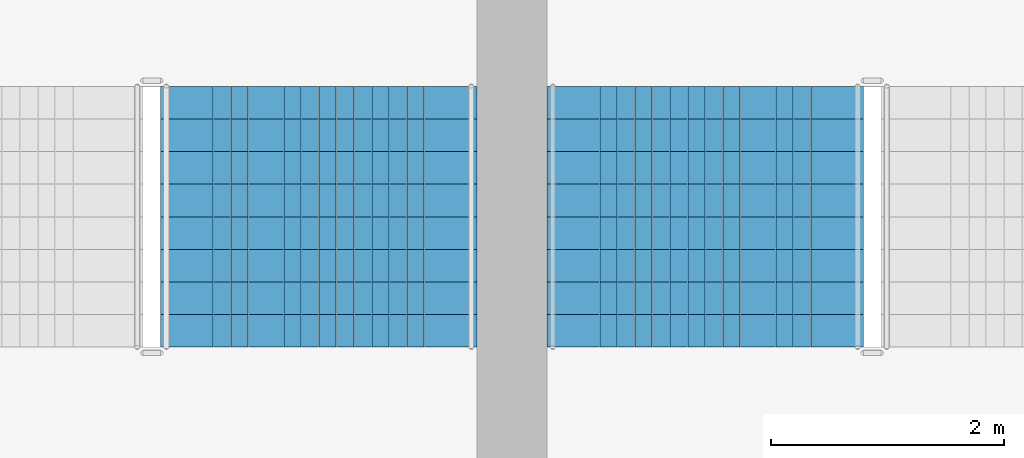
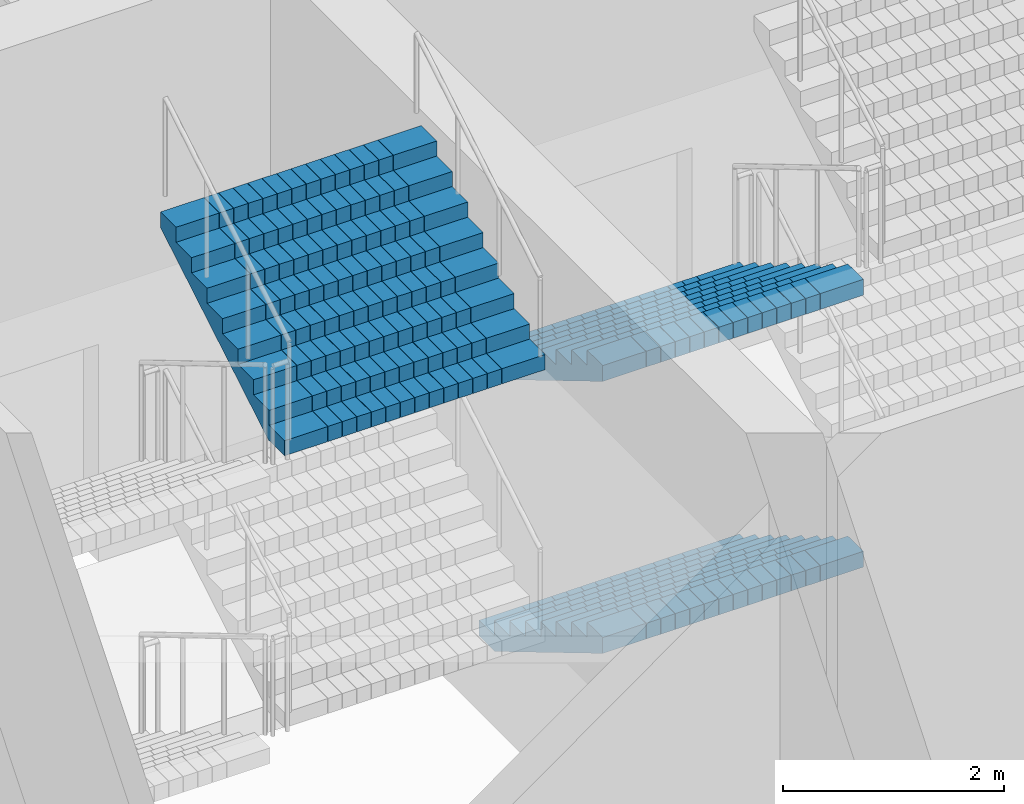
# One storey, part 35 of 61: 3 stair flights, 2 elements without a shape of their own.
"""IFC4 building model written with IfcOpenShell, lengths in metres."""

from ifc_helpers import new_model, si_unit, direction, frame, origin, place, context, subcontext, project, spatial, polyline, outline, extrude, material, type_object, element, aggregate, save


model = new_model("IFC4")

# Units and contexts
model_context = context("Model", 3, precision=1e-05, world=origin(), true_north=direction((0.0, 1.0)))
body_context = subcontext(model_context, "Body", "Model", "MODEL_VIEW")
ifc_project = project(units=[si_unit("LENGTHUNIT", "METRE"), si_unit("AREAUNIT", "SQUARE_METRE"), si_unit("VOLUMEUNIT", "CUBIC_METRE"), si_unit("PLANEANGLEUNIT", "RADIAN"), si_unit("MASSUNIT", "GRAM", prefix="KILO")], contexts=[model_context])

# Site, building, storey
site_placement = place(None, origin())
site = spatial("IfcSite", under=ifc_project, at=site_placement, CompositionType="ELEMENT")
building_placement = place(site_placement, origin())
building = spatial("IfcBuilding", under=site, at=building_placement, Name="Corbelhall Arena Tower", CompositionType="ELEMENT")
storey_placement = place(building_placement, frame((0.0, 0.0, 31.0)))
storey = spatial("IfcBuildingStorey", under=building, at=storey_placement, Name="L04", CompositionType="ELEMENT", Elevation=31.0)

# Stair, stair flights
ifc_material = material(Name="Reinforced concrete C40/50", Category="concrete")
stair_type = type_object("IfcStairType", Name="AR-EXIT-STAIR", PredefinedType="HALF_TURN_STAIR", material=ifc_material)
stair_1_placement = place(storey_placement, origin())
stair_1 = element("IfcStair", 1, at=stair_1_placement, inside=storey, type_object=stair_type, Name="L04 exit stair AS7", PredefinedType="HALF_TURN_STAIR")
stair_flight_type = type_object("IfcStairFlightType", Name="AR-EXIT-FLIGHT", PredefinedType="STRAIGHT", material=ifc_material)
stair_flight_1_placement = place(storey_placement, frame((-38.840087890625, -27.320068359375, 0.0), z_axis=(0.0, 0.0, 1.0), x_axis=(0.0, -1.0, 0.0)))
stair_flight_1 = element("IfcStairFlight", 2, at=stair_flight_1_placement, type_object=stair_flight_type, Name="AS7 flight 1", NumberOfRisers=9, NumberOfTreads=8, PredefinedType="STRAIGHT", RiserHeight=0.166666667, TreadLength=0.28, context=body_context, shape_type="SweptSolid", body=[
    extrude(outline(polyline([(0.0, 0.0), (0.0, 0.166748046875), (0.280029296875, 0.166748046875), (0.280029296875, 0.333251953125), (0.56005859375, 0.333251953125), (0.56005859375, 0.5), (0.840087890625, 0.5), (0.840087890625, 0.666748046875), (1.1201171875, 0.666748046875), (1.1201171875, 0.833251953125), (1.39990234375, 0.833251953125), (1.39990234375, 1.0), (1.679931640625, 1.0), (1.679931640625, 1.166748046875), (1.9599609375, 1.166748046875), (1.9599609375, 1.333251953125), (2.239990234375, 1.333251953125), (2.239990234375, 1.5), (2.239990234375, 1.158935546875), (0.29296875, 0.0), (0.0, 0.0)])), frame((0.0, 1.35986328125, 0.0), z_axis=(0.0, -1.0, 0.0), x_axis=(1.0, 0.0, 0.0)), (0.0, 0.0, 1.0), 0.449951171875),
    extrude(outline(polyline([(0.0, 0.0), (0.0, 0.166748046875), (0.280029296875, 0.166748046875), (0.280029296875, 0.333251953125), (0.56005859375, 0.333251953125), (0.56005859375, 0.5), (0.840087890625, 0.5), (0.840087890625, 0.666748046875), (1.1201171875, 0.666748046875), (1.1201171875, 0.833251953125), (1.39990234375, 0.833251953125), (1.39990234375, 1.0), (1.679931640625, 1.0), (1.679931640625, 1.166748046875), (1.9599609375, 1.166748046875), (1.9599609375, 1.333251953125), (2.239990234375, 1.333251953125), (2.239990234375, 1.5), (2.239990234375, 1.158935546875), (0.29296875, 0.0), (0.0, 0.0)])), frame((0.0, 0.906005859375, 0.0), z_axis=(0.0, -1.0, 0.0), x_axis=(1.0, 0.0, 0.0)), (0.0, 0.0, 1.0), 0.147216796875),
    extrude(outline(polyline([(0.0, 0.0), (0.0, 0.166748046875), (0.280029296875, 0.166748046875), (0.280029296875, 0.333251953125), (0.56005859375, 0.333251953125), (0.56005859375, 0.5), (0.840087890625, 0.5), (0.840087890625, 0.666748046875), (1.1201171875, 0.666748046875), (1.1201171875, 0.833251953125), (1.39990234375, 0.833251953125), (1.39990234375, 1.0), (1.679931640625, 1.0), (1.679931640625, 1.166748046875), (1.9599609375, 1.166748046875), (1.9599609375, 1.333251953125), (2.239990234375, 1.333251953125), (2.239990234375, 1.5), (2.239990234375, 1.158935546875), (0.29296875, 0.0), (0.0, 0.0)])), frame((0.0, 0.754638671875, 0.0), z_axis=(0.0, -1.0, 0.0), x_axis=(1.0, 0.0, 0.0)), (0.0, 0.0, 1.0), 0.147216796875),
    extrude(outline(polyline([(0.0, 0.0), (0.0, 0.166748046875), (0.280029296875, 0.166748046875), (0.280029296875, 0.333251953125), (0.56005859375, 0.333251953125), (0.56005859375, 0.5), (0.840087890625, 0.5), (0.840087890625, 0.666748046875), (1.1201171875, 0.666748046875), (1.1201171875, 0.833251953125), (1.39990234375, 0.833251953125), (1.39990234375, 1.0), (1.679931640625, 1.0), (1.679931640625, 1.166748046875), (1.9599609375, 1.166748046875), (1.9599609375, 1.333251953125), (2.239990234375, 1.333251953125), (2.239990234375, 1.5), (2.239990234375, 1.158935546875), (0.29296875, 0.0), (0.0, 0.0)])), frame((0.0, 0.603271484375, 0.0), z_axis=(0.0, -1.0, 0.0), x_axis=(1.0, 0.0, 0.0)), (0.0, 0.0, 1.0), 0.147216796875),
    extrude(outline(polyline([(0.0, 0.0), (0.0, 0.166748046875), (0.280029296875, 0.166748046875), (0.280029296875, 0.333251953125), (0.56005859375, 0.333251953125), (0.56005859375, 0.5), (0.840087890625, 0.5), (0.840087890625, 0.666748046875), (1.1201171875, 0.666748046875), (1.1201171875, 0.833251953125), (1.39990234375, 0.833251953125), (1.39990234375, 1.0), (1.679931640625, 1.0), (1.679931640625, 1.166748046875), (1.9599609375, 1.166748046875), (1.9599609375, 1.333251953125), (2.239990234375, 1.333251953125), (2.239990234375, 1.5), (2.239990234375, 1.158935546875), (0.29296875, 0.0), (0.0, 0.0)])), frame((0.0, 0.451904296875, 0.0), z_axis=(0.0, -1.0, 0.0), x_axis=(1.0, 0.0, 0.0)), (0.0, 0.0, 1.0), 0.147216796875),
    extrude(outline(polyline([(0.0, 0.0), (0.0, 0.166748046875), (0.280029296875, 0.166748046875), (0.280029296875, 0.333251953125), (0.56005859375, 0.333251953125), (0.56005859375, 0.5), (0.840087890625, 0.5), (0.840087890625, 0.666748046875), (1.1201171875, 0.666748046875), (1.1201171875, 0.833251953125), (1.39990234375, 0.833251953125), (1.39990234375, 1.0), (1.679931640625, 1.0), (1.679931640625, 1.166748046875), (1.9599609375, 1.166748046875), (1.9599609375, 1.333251953125), (2.239990234375, 1.333251953125), (2.239990234375, 1.5), (2.239990234375, 1.158935546875), (0.29296875, 0.0), (0.0, 0.0)])), frame((0.0, 0.30078125, 0.0), z_axis=(0.0, -1.0, 0.0), x_axis=(1.0, 0.0, 0.0)), (0.0, 0.0, 1.0), 0.147216796875),
    extrude(outline(polyline([(0.0, 0.0), (0.0, 0.166748046875), (0.280029296875, 0.166748046875), (0.280029296875, 0.333251953125), (0.56005859375, 0.333251953125), (0.56005859375, 0.5), (0.840087890625, 0.5), (0.840087890625, 0.666748046875), (1.1201171875, 0.666748046875), (1.1201171875, 0.833251953125), (1.39990234375, 0.833251953125), (1.39990234375, 1.0), (1.679931640625, 1.0), (1.679931640625, 1.166748046875), (1.9599609375, 1.166748046875), (1.9599609375, 1.333251953125), (2.239990234375, 1.333251953125), (2.239990234375, 1.5), (2.239990234375, 1.158935546875), (0.29296875, 0.0), (0.0, 0.0)])), frame((0.0, 0.1494140625, 0.0), z_axis=(0.0, -1.0, 0.0), x_axis=(1.0, 0.0, 0.0)), (0.0, 0.0, 1.0), 0.147216796875),
    extrude(outline(polyline([(0.0, 0.0), (0.0, 0.166748046875), (0.280029296875, 0.166748046875), (0.280029296875, 0.333251953125), (0.56005859375, 0.333251953125), (0.56005859375, 0.5), (0.840087890625, 0.5), (0.840087890625, 0.666748046875), (1.1201171875, 0.666748046875), (1.1201171875, 0.833251953125), (1.39990234375, 0.833251953125), (1.39990234375, 1.0), (1.679931640625, 1.0), (1.679931640625, 1.166748046875), (1.9599609375, 1.166748046875), (1.9599609375, 1.333251953125), (2.239990234375, 1.333251953125), (2.239990234375, 1.5), (2.239990234375, 1.158935546875), (0.29296875, 0.0), (0.0, 0.0)])), frame((0.0, -0.001953125, 0.0), z_axis=(0.0, -1.0, 0.0), x_axis=(1.0, 0.0, 0.0)), (0.0, 0.0, 1.0), 0.147216796875),
    extrude(outline(polyline([(0.0, 0.0), (0.0, 0.166748046875), (0.280029296875, 0.166748046875), (0.280029296875, 0.333251953125), (0.56005859375, 0.333251953125), (0.56005859375, 0.5), (0.840087890625, 0.5), (0.840087890625, 0.666748046875), (1.1201171875, 0.666748046875), (1.1201171875, 0.833251953125), (1.39990234375, 0.833251953125), (1.39990234375, 1.0), (1.679931640625, 1.0), (1.679931640625, 1.166748046875), (1.9599609375, 1.166748046875), (1.9599609375, 1.333251953125), (2.239990234375, 1.333251953125), (2.239990234375, 1.5), (2.239990234375, 1.158935546875), (0.29296875, 0.0), (0.0, 0.0)])), frame((0.0, -0.1533203125, 0.0), z_axis=(0.0, -1.0, 0.0), x_axis=(1.0, 0.0, 0.0)), (0.0, 0.0, 1.0), 0.147216796875),
    extrude(outline(polyline([(0.0, 0.0), (0.0, 0.166748046875), (0.280029296875, 0.166748046875), (0.280029296875, 0.333251953125), (0.56005859375, 0.333251953125), (0.56005859375, 0.5), (0.840087890625, 0.5), (0.840087890625, 0.666748046875), (1.1201171875, 0.666748046875), (1.1201171875, 0.833251953125), (1.39990234375, 0.833251953125), (1.39990234375, 1.0), (1.679931640625, 1.0), (1.679931640625, 1.166748046875), (1.9599609375, 1.166748046875), (1.9599609375, 1.333251953125), (2.239990234375, 1.333251953125), (2.239990234375, 1.5), (2.239990234375, 1.158935546875), (0.29296875, 0.0), (0.0, 0.0)])), frame((0.0, -0.3046875, 0.0), z_axis=(0.0, -1.0, 0.0), x_axis=(1.0, 0.0, 0.0)), (0.0, 0.0, 1.0), 0.147216796875),
    extrude(outline(polyline([(0.0, 0.0), (0.0, 0.166748046875), (0.280029296875, 0.166748046875), (0.280029296875, 0.333251953125), (0.56005859375, 0.333251953125), (0.56005859375, 0.5), (0.840087890625, 0.5), (0.840087890625, 0.666748046875), (1.1201171875, 0.666748046875), (1.1201171875, 0.833251953125), (1.39990234375, 0.833251953125), (1.39990234375, 1.0), (1.679931640625, 1.0), (1.679931640625, 1.166748046875), (1.9599609375, 1.166748046875), (1.9599609375, 1.333251953125), (2.239990234375, 1.333251953125), (2.239990234375, 1.5), (2.239990234375, 1.158935546875), (0.29296875, 0.0), (0.0, 0.0)])), frame((0.0, -0.4560546875, 0.0), z_axis=(0.0, -1.0, 0.0), x_axis=(1.0, 0.0, 0.0)), (0.0, 0.0, 1.0), 0.147216796875),
    extrude(outline(polyline([(0.0, 0.0), (0.0, 0.166748046875), (0.280029296875, 0.166748046875), (0.280029296875, 0.333251953125), (0.56005859375, 0.333251953125), (0.56005859375, 0.5), (0.840087890625, 0.5), (0.840087890625, 0.666748046875), (1.1201171875, 0.666748046875), (1.1201171875, 0.833251953125), (1.39990234375, 0.833251953125), (1.39990234375, 1.0), (1.679931640625, 1.0), (1.679931640625, 1.166748046875), (1.9599609375, 1.166748046875), (1.9599609375, 1.333251953125), (2.239990234375, 1.333251953125), (2.239990234375, 1.5), (2.239990234375, 1.158935546875), (0.29296875, 0.0), (0.0, 0.0)])), frame((0.0, -0.607421875, 0.0), z_axis=(0.0, -1.0, 0.0), x_axis=(1.0, 0.0, 0.0)), (0.0, 0.0, 1.0), 0.147216796875),
    extrude(outline(polyline([(0.0, 0.0), (0.0, 0.166748046875), (0.280029296875, 0.166748046875), (0.280029296875, 0.333251953125), (0.56005859375, 0.333251953125), (0.56005859375, 0.5), (0.840087890625, 0.5), (0.840087890625, 0.666748046875), (1.1201171875, 0.666748046875), (1.1201171875, 0.833251953125), (1.39990234375, 0.833251953125), (1.39990234375, 1.0), (1.679931640625, 1.0), (1.679931640625, 1.166748046875), (1.9599609375, 1.166748046875), (1.9599609375, 1.333251953125), (2.239990234375, 1.333251953125), (2.239990234375, 1.5), (2.239990234375, 1.158935546875), (0.29296875, 0.0), (0.0, 0.0)])), frame((0.0, -0.758544921875, 0.0), z_axis=(0.0, -1.0, 0.0), x_axis=(1.0, 0.0, 0.0)), (0.0, 0.0, 1.0), 0.147216796875),
    extrude(outline(polyline([(0.0, 0.0), (0.0, 0.166748046875), (0.280029296875, 0.166748046875), (0.280029296875, 0.333251953125), (0.56005859375, 0.333251953125), (0.56005859375, 0.5), (0.840087890625, 0.5), (0.840087890625, 0.666748046875), (1.1201171875, 0.666748046875), (1.1201171875, 0.833251953125), (1.39990234375, 0.833251953125), (1.39990234375, 1.0), (1.679931640625, 1.0), (1.679931640625, 1.166748046875), (1.9599609375, 1.166748046875), (1.9599609375, 1.333251953125), (2.239990234375, 1.333251953125), (2.239990234375, 1.5), (2.239990234375, 1.158935546875), (0.29296875, 0.0), (0.0, 0.0)])), frame((0.0, -0.909912109375, 0.0), z_axis=(0.0, -1.0, 0.0), x_axis=(1.0, 0.0, 0.0)), (0.0, 0.0, 1.0), 0.449951171875),
])
stair_flight_2_placement = place(storey_placement, frame((-38.840087890625, -27.320068359375, 3.0), z_axis=(0.0, 0.0, 1.0), x_axis=(0.0, -1.0, 0.0)))
stair_flight_2 = element("IfcStairFlight", 3, at=stair_flight_2_placement, type_object=stair_flight_type, Name="AS7 flight 3", NumberOfRisers=9, NumberOfTreads=8, PredefinedType="STRAIGHT", RiserHeight=0.166666667, TreadLength=0.28, context=body_context, shape_type="SweptSolid", body=[
    extrude(outline(polyline([(0.0, 0.0), (0.0, 0.166748046875), (0.280029296875, 0.166748046875), (0.280029296875, 0.333251953125), (0.56005859375, 0.333251953125), (0.56005859375, 0.5), (0.840087890625, 0.5), (0.840087890625, 0.666748046875), (1.1201171875, 0.666748046875), (1.1201171875, 0.833251953125), (1.39990234375, 0.833251953125), (1.39990234375, 1.0), (1.679931640625, 1.0), (1.679931640625, 1.166748046875), (1.9599609375, 1.166748046875), (1.9599609375, 1.333251953125), (2.239990234375, 1.333251953125), (2.239990234375, 1.5), (2.239990234375, 1.158935546875), (0.29296875, 0.0), (0.0, 0.0)])), frame((0.0, 1.35986328125, 0.0), z_axis=(0.0, -1.0, 0.0), x_axis=(1.0, 0.0, 0.0)), (0.0, 0.0, 1.0), 0.449951171875),
    extrude(outline(polyline([(0.0, 0.0), (0.0, 0.166748046875), (0.280029296875, 0.166748046875), (0.280029296875, 0.333251953125), (0.56005859375, 0.333251953125), (0.56005859375, 0.5), (0.840087890625, 0.5), (0.840087890625, 0.666748046875), (1.1201171875, 0.666748046875), (1.1201171875, 0.833251953125), (1.39990234375, 0.833251953125), (1.39990234375, 1.0), (1.679931640625, 1.0), (1.679931640625, 1.166748046875), (1.9599609375, 1.166748046875), (1.9599609375, 1.333251953125), (2.239990234375, 1.333251953125), (2.239990234375, 1.5), (2.239990234375, 1.158935546875), (0.29296875, 0.0), (0.0, 0.0)])), frame((0.0, 0.906005859375, 0.0), z_axis=(0.0, -1.0, 0.0), x_axis=(1.0, 0.0, 0.0)), (0.0, 0.0, 1.0), 0.147216796875),
    extrude(outline(polyline([(0.0, 0.0), (0.0, 0.166748046875), (0.280029296875, 0.166748046875), (0.280029296875, 0.333251953125), (0.56005859375, 0.333251953125), (0.56005859375, 0.5), (0.840087890625, 0.5), (0.840087890625, 0.666748046875), (1.1201171875, 0.666748046875), (1.1201171875, 0.833251953125), (1.39990234375, 0.833251953125), (1.39990234375, 1.0), (1.679931640625, 1.0), (1.679931640625, 1.166748046875), (1.9599609375, 1.166748046875), (1.9599609375, 1.333251953125), (2.239990234375, 1.333251953125), (2.239990234375, 1.5), (2.239990234375, 1.158935546875), (0.29296875, 0.0), (0.0, 0.0)])), frame((0.0, 0.754638671875, 0.0), z_axis=(0.0, -1.0, 0.0), x_axis=(1.0, 0.0, 0.0)), (0.0, 0.0, 1.0), 0.147216796875),
    extrude(outline(polyline([(0.0, 0.0), (0.0, 0.166748046875), (0.280029296875, 0.166748046875), (0.280029296875, 0.333251953125), (0.56005859375, 0.333251953125), (0.56005859375, 0.5), (0.840087890625, 0.5), (0.840087890625, 0.666748046875), (1.1201171875, 0.666748046875), (1.1201171875, 0.833251953125), (1.39990234375, 0.833251953125), (1.39990234375, 1.0), (1.679931640625, 1.0), (1.679931640625, 1.166748046875), (1.9599609375, 1.166748046875), (1.9599609375, 1.333251953125), (2.239990234375, 1.333251953125), (2.239990234375, 1.5), (2.239990234375, 1.158935546875), (0.29296875, 0.0), (0.0, 0.0)])), frame((0.0, 0.603271484375, 0.0), z_axis=(0.0, -1.0, 0.0), x_axis=(1.0, 0.0, 0.0)), (0.0, 0.0, 1.0), 0.147216796875),
    extrude(outline(polyline([(0.0, 0.0), (0.0, 0.166748046875), (0.280029296875, 0.166748046875), (0.280029296875, 0.333251953125), (0.56005859375, 0.333251953125), (0.56005859375, 0.5), (0.840087890625, 0.5), (0.840087890625, 0.666748046875), (1.1201171875, 0.666748046875), (1.1201171875, 0.833251953125), (1.39990234375, 0.833251953125), (1.39990234375, 1.0), (1.679931640625, 1.0), (1.679931640625, 1.166748046875), (1.9599609375, 1.166748046875), (1.9599609375, 1.333251953125), (2.239990234375, 1.333251953125), (2.239990234375, 1.5), (2.239990234375, 1.158935546875), (0.29296875, 0.0), (0.0, 0.0)])), frame((0.0, 0.451904296875, 0.0), z_axis=(0.0, -1.0, 0.0), x_axis=(1.0, 0.0, 0.0)), (0.0, 0.0, 1.0), 0.147216796875),
    extrude(outline(polyline([(0.0, 0.0), (0.0, 0.166748046875), (0.280029296875, 0.166748046875), (0.280029296875, 0.333251953125), (0.56005859375, 0.333251953125), (0.56005859375, 0.5), (0.840087890625, 0.5), (0.840087890625, 0.666748046875), (1.1201171875, 0.666748046875), (1.1201171875, 0.833251953125), (1.39990234375, 0.833251953125), (1.39990234375, 1.0), (1.679931640625, 1.0), (1.679931640625, 1.166748046875), (1.9599609375, 1.166748046875), (1.9599609375, 1.333251953125), (2.239990234375, 1.333251953125), (2.239990234375, 1.5), (2.239990234375, 1.158935546875), (0.29296875, 0.0), (0.0, 0.0)])), frame((0.0, 0.30078125, 0.0), z_axis=(0.0, -1.0, 0.0), x_axis=(1.0, 0.0, 0.0)), (0.0, 0.0, 1.0), 0.147216796875),
    extrude(outline(polyline([(0.0, 0.0), (0.0, 0.166748046875), (0.280029296875, 0.166748046875), (0.280029296875, 0.333251953125), (0.56005859375, 0.333251953125), (0.56005859375, 0.5), (0.840087890625, 0.5), (0.840087890625, 0.666748046875), (1.1201171875, 0.666748046875), (1.1201171875, 0.833251953125), (1.39990234375, 0.833251953125), (1.39990234375, 1.0), (1.679931640625, 1.0), (1.679931640625, 1.166748046875), (1.9599609375, 1.166748046875), (1.9599609375, 1.333251953125), (2.239990234375, 1.333251953125), (2.239990234375, 1.5), (2.239990234375, 1.158935546875), (0.29296875, 0.0), (0.0, 0.0)])), frame((0.0, 0.1494140625, 0.0), z_axis=(0.0, -1.0, 0.0), x_axis=(1.0, 0.0, 0.0)), (0.0, 0.0, 1.0), 0.147216796875),
    extrude(outline(polyline([(0.0, 0.0), (0.0, 0.166748046875), (0.280029296875, 0.166748046875), (0.280029296875, 0.333251953125), (0.56005859375, 0.333251953125), (0.56005859375, 0.5), (0.840087890625, 0.5), (0.840087890625, 0.666748046875), (1.1201171875, 0.666748046875), (1.1201171875, 0.833251953125), (1.39990234375, 0.833251953125), (1.39990234375, 1.0), (1.679931640625, 1.0), (1.679931640625, 1.166748046875), (1.9599609375, 1.166748046875), (1.9599609375, 1.333251953125), (2.239990234375, 1.333251953125), (2.239990234375, 1.5), (2.239990234375, 1.158935546875), (0.29296875, 0.0), (0.0, 0.0)])), frame((0.0, -0.001953125, 0.0), z_axis=(0.0, -1.0, 0.0), x_axis=(1.0, 0.0, 0.0)), (0.0, 0.0, 1.0), 0.147216796875),
    extrude(outline(polyline([(0.0, 0.0), (0.0, 0.166748046875), (0.280029296875, 0.166748046875), (0.280029296875, 0.333251953125), (0.56005859375, 0.333251953125), (0.56005859375, 0.5), (0.840087890625, 0.5), (0.840087890625, 0.666748046875), (1.1201171875, 0.666748046875), (1.1201171875, 0.833251953125), (1.39990234375, 0.833251953125), (1.39990234375, 1.0), (1.679931640625, 1.0), (1.679931640625, 1.166748046875), (1.9599609375, 1.166748046875), (1.9599609375, 1.333251953125), (2.239990234375, 1.333251953125), (2.239990234375, 1.5), (2.239990234375, 1.158935546875), (0.29296875, 0.0), (0.0, 0.0)])), frame((0.0, -0.1533203125, 0.0), z_axis=(0.0, -1.0, 0.0), x_axis=(1.0, 0.0, 0.0)), (0.0, 0.0, 1.0), 0.147216796875),
    extrude(outline(polyline([(0.0, 0.0), (0.0, 0.166748046875), (0.280029296875, 0.166748046875), (0.280029296875, 0.333251953125), (0.56005859375, 0.333251953125), (0.56005859375, 0.5), (0.840087890625, 0.5), (0.840087890625, 0.666748046875), (1.1201171875, 0.666748046875), (1.1201171875, 0.833251953125), (1.39990234375, 0.833251953125), (1.39990234375, 1.0), (1.679931640625, 1.0), (1.679931640625, 1.166748046875), (1.9599609375, 1.166748046875), (1.9599609375, 1.333251953125), (2.239990234375, 1.333251953125), (2.239990234375, 1.5), (2.239990234375, 1.158935546875), (0.29296875, 0.0), (0.0, 0.0)])), frame((0.0, -0.3046875, 0.0), z_axis=(0.0, -1.0, 0.0), x_axis=(1.0, 0.0, 0.0)), (0.0, 0.0, 1.0), 0.147216796875),
    extrude(outline(polyline([(0.0, 0.0), (0.0, 0.166748046875), (0.280029296875, 0.166748046875), (0.280029296875, 0.333251953125), (0.56005859375, 0.333251953125), (0.56005859375, 0.5), (0.840087890625, 0.5), (0.840087890625, 0.666748046875), (1.1201171875, 0.666748046875), (1.1201171875, 0.833251953125), (1.39990234375, 0.833251953125), (1.39990234375, 1.0), (1.679931640625, 1.0), (1.679931640625, 1.166748046875), (1.9599609375, 1.166748046875), (1.9599609375, 1.333251953125), (2.239990234375, 1.333251953125), (2.239990234375, 1.5), (2.239990234375, 1.158935546875), (0.29296875, 0.0), (0.0, 0.0)])), frame((0.0, -0.4560546875, 0.0), z_axis=(0.0, -1.0, 0.0), x_axis=(1.0, 0.0, 0.0)), (0.0, 0.0, 1.0), 0.147216796875),
    extrude(outline(polyline([(0.0, 0.0), (0.0, 0.166748046875), (0.280029296875, 0.166748046875), (0.280029296875, 0.333251953125), (0.56005859375, 0.333251953125), (0.56005859375, 0.5), (0.840087890625, 0.5), (0.840087890625, 0.666748046875), (1.1201171875, 0.666748046875), (1.1201171875, 0.833251953125), (1.39990234375, 0.833251953125), (1.39990234375, 1.0), (1.679931640625, 1.0), (1.679931640625, 1.166748046875), (1.9599609375, 1.166748046875), (1.9599609375, 1.333251953125), (2.239990234375, 1.333251953125), (2.239990234375, 1.5), (2.239990234375, 1.158935546875), (0.29296875, 0.0), (0.0, 0.0)])), frame((0.0, -0.607421875, 0.0), z_axis=(0.0, -1.0, 0.0), x_axis=(1.0, 0.0, 0.0)), (0.0, 0.0, 1.0), 0.147216796875),
    extrude(outline(polyline([(0.0, 0.0), (0.0, 0.166748046875), (0.280029296875, 0.166748046875), (0.280029296875, 0.333251953125), (0.56005859375, 0.333251953125), (0.56005859375, 0.5), (0.840087890625, 0.5), (0.840087890625, 0.666748046875), (1.1201171875, 0.666748046875), (1.1201171875, 0.833251953125), (1.39990234375, 0.833251953125), (1.39990234375, 1.0), (1.679931640625, 1.0), (1.679931640625, 1.166748046875), (1.9599609375, 1.166748046875), (1.9599609375, 1.333251953125), (2.239990234375, 1.333251953125), (2.239990234375, 1.5), (2.239990234375, 1.158935546875), (0.29296875, 0.0), (0.0, 0.0)])), frame((0.0, -0.758544921875, 0.0), z_axis=(0.0, -1.0, 0.0), x_axis=(1.0, 0.0, 0.0)), (0.0, 0.0, 1.0), 0.147216796875),
    extrude(outline(polyline([(0.0, 0.0), (0.0, 0.166748046875), (0.280029296875, 0.166748046875), (0.280029296875, 0.333251953125), (0.56005859375, 0.333251953125), (0.56005859375, 0.5), (0.840087890625, 0.5), (0.840087890625, 0.666748046875), (1.1201171875, 0.666748046875), (1.1201171875, 0.833251953125), (1.39990234375, 0.833251953125), (1.39990234375, 1.0), (1.679931640625, 1.0), (1.679931640625, 1.166748046875), (1.9599609375, 1.166748046875), (1.9599609375, 1.333251953125), (2.239990234375, 1.333251953125), (2.239990234375, 1.5), (2.239990234375, 1.158935546875), (0.29296875, 0.0), (0.0, 0.0)])), frame((0.0, -0.909912109375, 0.0), z_axis=(0.0, -1.0, 0.0), x_axis=(1.0, 0.0, 0.0)), (0.0, 0.0, 1.0), 0.449951171875),
])
aggregate(stair_1, [stair_flight_1, stair_flight_2])

# Stair, stair flight
stair_2_placement = place(storey_placement, origin())
stair_2 = element("IfcStair", 4, at=stair_2_placement, inside=storey, type_object=stair_type, Name="L04 exit stair AS8", PredefinedType="HALF_TURN_STAIR")
stair_flight_3_placement = place(storey_placement, frame((-42.159912109375, -29.56005859375, 4.5), z_axis=(0.0, 0.0, 1.0), x_axis=(0.0, 1.0, 0.0)))
stair_flight_3 = element("IfcStairFlight", 5, at=stair_flight_3_placement, type_object=stair_flight_type, Name="AS8 flight 4", NumberOfRisers=9, NumberOfTreads=8, PredefinedType="STRAIGHT", RiserHeight=0.166666667, TreadLength=0.28, context=body_context, shape_type="SweptSolid", body=[
    extrude(outline(polyline([(0.0, 0.0), (0.0, 0.166748046875), (0.280029296875, 0.166748046875), (0.280029296875, 0.333251953125), (0.56005859375, 0.333251953125), (0.56005859375, 0.5), (0.840087890625, 0.5), (0.840087890625, 0.666748046875), (1.1201171875, 0.666748046875), (1.1201171875, 0.833251953125), (1.39990234375, 0.833251953125), (1.39990234375, 1.0), (1.679931640625, 1.0), (1.679931640625, 1.166748046875), (1.9599609375, 1.166748046875), (1.9599609375, 1.333251953125), (2.239990234375, 1.333251953125), (2.239990234375, 1.5), (2.239990234375, 1.158935546875), (0.29296875, 0.0), (0.0, 0.0)])), frame((0.0, 1.35986328125, 0.0), z_axis=(0.0, -1.0, 0.0), x_axis=(1.0, 0.0, 0.0)), (0.0, 0.0, 1.0), 0.449951171875),
    extrude(outline(polyline([(0.0, 0.0), (0.0, 0.166748046875), (0.280029296875, 0.166748046875), (0.280029296875, 0.333251953125), (0.56005859375, 0.333251953125), (0.56005859375, 0.5), (0.840087890625, 0.5), (0.840087890625, 0.666748046875), (1.1201171875, 0.666748046875), (1.1201171875, 0.833251953125), (1.39990234375, 0.833251953125), (1.39990234375, 1.0), (1.679931640625, 1.0), (1.679931640625, 1.166748046875), (1.9599609375, 1.166748046875), (1.9599609375, 1.333251953125), (2.239990234375, 1.333251953125), (2.239990234375, 1.5), (2.239990234375, 1.158935546875), (0.29296875, 0.0), (0.0, 0.0)])), frame((0.0, 0.906005859375, 0.0), z_axis=(0.0, -1.0, 0.0), x_axis=(1.0, 0.0, 0.0)), (0.0, 0.0, 1.0), 0.147216796875),
    extrude(outline(polyline([(0.0, 0.0), (0.0, 0.166748046875), (0.280029296875, 0.166748046875), (0.280029296875, 0.333251953125), (0.56005859375, 0.333251953125), (0.56005859375, 0.5), (0.840087890625, 0.5), (0.840087890625, 0.666748046875), (1.1201171875, 0.666748046875), (1.1201171875, 0.833251953125), (1.39990234375, 0.833251953125), (1.39990234375, 1.0), (1.679931640625, 1.0), (1.679931640625, 1.166748046875), (1.9599609375, 1.166748046875), (1.9599609375, 1.333251953125), (2.239990234375, 1.333251953125), (2.239990234375, 1.5), (2.239990234375, 1.158935546875), (0.29296875, 0.0), (0.0, 0.0)])), frame((0.0, 0.754638671875, 0.0), z_axis=(0.0, -1.0, 0.0), x_axis=(1.0, 0.0, 0.0)), (0.0, 0.0, 1.0), 0.147216796875),
    extrude(outline(polyline([(0.0, 0.0), (0.0, 0.166748046875), (0.280029296875, 0.166748046875), (0.280029296875, 0.333251953125), (0.56005859375, 0.333251953125), (0.56005859375, 0.5), (0.840087890625, 0.5), (0.840087890625, 0.666748046875), (1.1201171875, 0.666748046875), (1.1201171875, 0.833251953125), (1.39990234375, 0.833251953125), (1.39990234375, 1.0), (1.679931640625, 1.0), (1.679931640625, 1.166748046875), (1.9599609375, 1.166748046875), (1.9599609375, 1.333251953125), (2.239990234375, 1.333251953125), (2.239990234375, 1.5), (2.239990234375, 1.158935546875), (0.29296875, 0.0), (0.0, 0.0)])), frame((0.0, 0.603271484375, 0.0), z_axis=(0.0, -1.0, 0.0), x_axis=(1.0, 0.0, 0.0)), (0.0, 0.0, 1.0), 0.147216796875),
    extrude(outline(polyline([(0.0, 0.0), (0.0, 0.166748046875), (0.280029296875, 0.166748046875), (0.280029296875, 0.333251953125), (0.56005859375, 0.333251953125), (0.56005859375, 0.5), (0.840087890625, 0.5), (0.840087890625, 0.666748046875), (1.1201171875, 0.666748046875), (1.1201171875, 0.833251953125), (1.39990234375, 0.833251953125), (1.39990234375, 1.0), (1.679931640625, 1.0), (1.679931640625, 1.166748046875), (1.9599609375, 1.166748046875), (1.9599609375, 1.333251953125), (2.239990234375, 1.333251953125), (2.239990234375, 1.5), (2.239990234375, 1.158935546875), (0.29296875, 0.0), (0.0, 0.0)])), frame((0.0, 0.451904296875, 0.0), z_axis=(0.0, -1.0, 0.0), x_axis=(1.0, 0.0, 0.0)), (0.0, 0.0, 1.0), 0.147216796875),
    extrude(outline(polyline([(0.0, 0.0), (0.0, 0.166748046875), (0.280029296875, 0.166748046875), (0.280029296875, 0.333251953125), (0.56005859375, 0.333251953125), (0.56005859375, 0.5), (0.840087890625, 0.5), (0.840087890625, 0.666748046875), (1.1201171875, 0.666748046875), (1.1201171875, 0.833251953125), (1.39990234375, 0.833251953125), (1.39990234375, 1.0), (1.679931640625, 1.0), (1.679931640625, 1.166748046875), (1.9599609375, 1.166748046875), (1.9599609375, 1.333251953125), (2.239990234375, 1.333251953125), (2.239990234375, 1.5), (2.239990234375, 1.158935546875), (0.29296875, 0.0), (0.0, 0.0)])), frame((0.0, 0.30078125, 0.0), z_axis=(0.0, -1.0, 0.0), x_axis=(1.0, 0.0, 0.0)), (0.0, 0.0, 1.0), 0.147216796875),
    extrude(outline(polyline([(0.0, 0.0), (0.0, 0.166748046875), (0.280029296875, 0.166748046875), (0.280029296875, 0.333251953125), (0.56005859375, 0.333251953125), (0.56005859375, 0.5), (0.840087890625, 0.5), (0.840087890625, 0.666748046875), (1.1201171875, 0.666748046875), (1.1201171875, 0.833251953125), (1.39990234375, 0.833251953125), (1.39990234375, 1.0), (1.679931640625, 1.0), (1.679931640625, 1.166748046875), (1.9599609375, 1.166748046875), (1.9599609375, 1.333251953125), (2.239990234375, 1.333251953125), (2.239990234375, 1.5), (2.239990234375, 1.158935546875), (0.29296875, 0.0), (0.0, 0.0)])), frame((0.0, 0.1494140625, 0.0), z_axis=(0.0, -1.0, 0.0), x_axis=(1.0, 0.0, 0.0)), (0.0, 0.0, 1.0), 0.147216796875),
    extrude(outline(polyline([(0.0, 0.0), (0.0, 0.166748046875), (0.280029296875, 0.166748046875), (0.280029296875, 0.333251953125), (0.56005859375, 0.333251953125), (0.56005859375, 0.5), (0.840087890625, 0.5), (0.840087890625, 0.666748046875), (1.1201171875, 0.666748046875), (1.1201171875, 0.833251953125), (1.39990234375, 0.833251953125), (1.39990234375, 1.0), (1.679931640625, 1.0), (1.679931640625, 1.166748046875), (1.9599609375, 1.166748046875), (1.9599609375, 1.333251953125), (2.239990234375, 1.333251953125), (2.239990234375, 1.5), (2.239990234375, 1.158935546875), (0.29296875, 0.0), (0.0, 0.0)])), frame((0.0, -0.001953125, 0.0), z_axis=(0.0, -1.0, 0.0), x_axis=(1.0, 0.0, 0.0)), (0.0, 0.0, 1.0), 0.147216796875),
    extrude(outline(polyline([(0.0, 0.0), (0.0, 0.166748046875), (0.280029296875, 0.166748046875), (0.280029296875, 0.333251953125), (0.56005859375, 0.333251953125), (0.56005859375, 0.5), (0.840087890625, 0.5), (0.840087890625, 0.666748046875), (1.1201171875, 0.666748046875), (1.1201171875, 0.833251953125), (1.39990234375, 0.833251953125), (1.39990234375, 1.0), (1.679931640625, 1.0), (1.679931640625, 1.166748046875), (1.9599609375, 1.166748046875), (1.9599609375, 1.333251953125), (2.239990234375, 1.333251953125), (2.239990234375, 1.5), (2.239990234375, 1.158935546875), (0.29296875, 0.0), (0.0, 0.0)])), frame((0.0, -0.1533203125, 0.0), z_axis=(0.0, -1.0, 0.0), x_axis=(1.0, 0.0, 0.0)), (0.0, 0.0, 1.0), 0.147216796875),
    extrude(outline(polyline([(0.0, 0.0), (0.0, 0.166748046875), (0.280029296875, 0.166748046875), (0.280029296875, 0.333251953125), (0.56005859375, 0.333251953125), (0.56005859375, 0.5), (0.840087890625, 0.5), (0.840087890625, 0.666748046875), (1.1201171875, 0.666748046875), (1.1201171875, 0.833251953125), (1.39990234375, 0.833251953125), (1.39990234375, 1.0), (1.679931640625, 1.0), (1.679931640625, 1.166748046875), (1.9599609375, 1.166748046875), (1.9599609375, 1.333251953125), (2.239990234375, 1.333251953125), (2.239990234375, 1.5), (2.239990234375, 1.158935546875), (0.29296875, 0.0), (0.0, 0.0)])), frame((0.0, -0.3046875, 0.0), z_axis=(0.0, -1.0, 0.0), x_axis=(1.0, 0.0, 0.0)), (0.0, 0.0, 1.0), 0.147216796875),
    extrude(outline(polyline([(0.0, 0.0), (0.0, 0.166748046875), (0.280029296875, 0.166748046875), (0.280029296875, 0.333251953125), (0.56005859375, 0.333251953125), (0.56005859375, 0.5), (0.840087890625, 0.5), (0.840087890625, 0.666748046875), (1.1201171875, 0.666748046875), (1.1201171875, 0.833251953125), (1.39990234375, 0.833251953125), (1.39990234375, 1.0), (1.679931640625, 1.0), (1.679931640625, 1.166748046875), (1.9599609375, 1.166748046875), (1.9599609375, 1.333251953125), (2.239990234375, 1.333251953125), (2.239990234375, 1.5), (2.239990234375, 1.158935546875), (0.29296875, 0.0), (0.0, 0.0)])), frame((0.0, -0.4560546875, 0.0), z_axis=(0.0, -1.0, 0.0), x_axis=(1.0, 0.0, 0.0)), (0.0, 0.0, 1.0), 0.147216796875),
    extrude(outline(polyline([(0.0, 0.0), (0.0, 0.166748046875), (0.280029296875, 0.166748046875), (0.280029296875, 0.333251953125), (0.56005859375, 0.333251953125), (0.56005859375, 0.5), (0.840087890625, 0.5), (0.840087890625, 0.666748046875), (1.1201171875, 0.666748046875), (1.1201171875, 0.833251953125), (1.39990234375, 0.833251953125), (1.39990234375, 1.0), (1.679931640625, 1.0), (1.679931640625, 1.166748046875), (1.9599609375, 1.166748046875), (1.9599609375, 1.333251953125), (2.239990234375, 1.333251953125), (2.239990234375, 1.5), (2.239990234375, 1.158935546875), (0.29296875, 0.0), (0.0, 0.0)])), frame((0.0, -0.607421875, 0.0), z_axis=(0.0, -1.0, 0.0), x_axis=(1.0, 0.0, 0.0)), (0.0, 0.0, 1.0), 0.147216796875),
    extrude(outline(polyline([(0.0, 0.0), (0.0, 0.166748046875), (0.280029296875, 0.166748046875), (0.280029296875, 0.333251953125), (0.56005859375, 0.333251953125), (0.56005859375, 0.5), (0.840087890625, 0.5), (0.840087890625, 0.666748046875), (1.1201171875, 0.666748046875), (1.1201171875, 0.833251953125), (1.39990234375, 0.833251953125), (1.39990234375, 1.0), (1.679931640625, 1.0), (1.679931640625, 1.166748046875), (1.9599609375, 1.166748046875), (1.9599609375, 1.333251953125), (2.239990234375, 1.333251953125), (2.239990234375, 1.5), (2.239990234375, 1.158935546875), (0.29296875, 0.0), (0.0, 0.0)])), frame((0.0, -0.758544921875, 0.0), z_axis=(0.0, -1.0, 0.0), x_axis=(1.0, 0.0, 0.0)), (0.0, 0.0, 1.0), 0.147216796875),
    extrude(outline(polyline([(0.0, 0.0), (0.0, 0.166748046875), (0.280029296875, 0.166748046875), (0.280029296875, 0.333251953125), (0.56005859375, 0.333251953125), (0.56005859375, 0.5), (0.840087890625, 0.5), (0.840087890625, 0.666748046875), (1.1201171875, 0.666748046875), (1.1201171875, 0.833251953125), (1.39990234375, 0.833251953125), (1.39990234375, 1.0), (1.679931640625, 1.0), (1.679931640625, 1.166748046875), (1.9599609375, 1.166748046875), (1.9599609375, 1.333251953125), (2.239990234375, 1.333251953125), (2.239990234375, 1.5), (2.239990234375, 1.158935546875), (0.29296875, 0.0), (0.0, 0.0)])), frame((0.0, -0.909912109375, 0.0), z_axis=(0.0, -1.0, 0.0), x_axis=(1.0, 0.0, 0.0)), (0.0, 0.0, 1.0), 0.449951171875),
])
aggregate(stair_2, [stair_flight_3])

save(model, "model.ifc")
